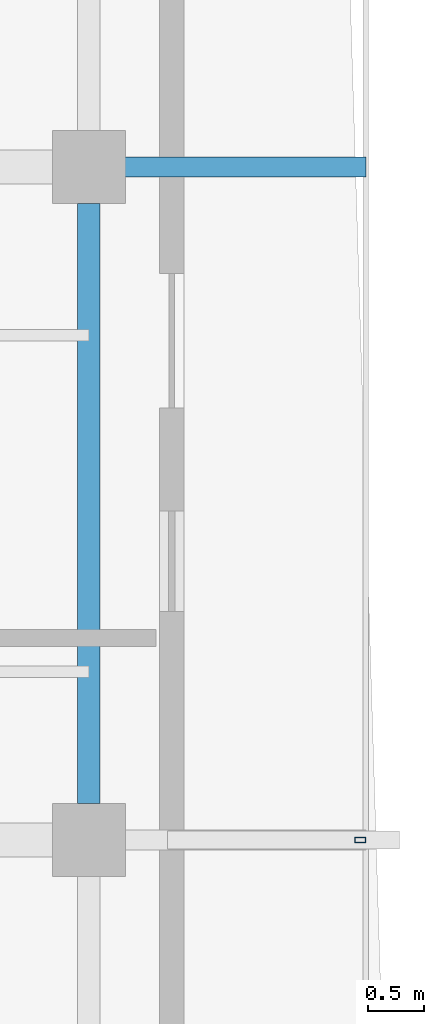
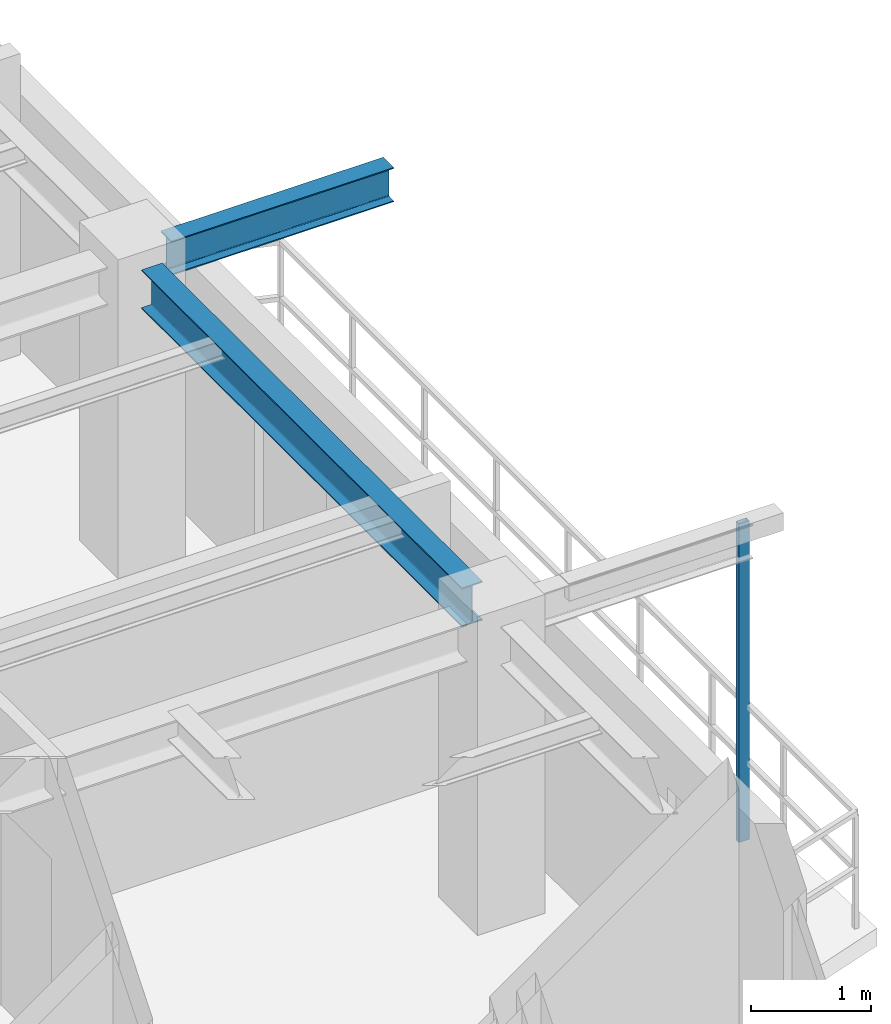
# One storey, part 7 of 14: 2 beams, 1 member.
"""IFC4 building model written with IfcOpenShell, lengths in metres."""

from ifc_helpers import new_model, si_unit, direction, frame, origin, origin_2d, place, context, subcontext, project, spatial, hollow_rectangle, i_section, extrude, source, transform, mapped, material, material_profile, profile_set, type_object, element, save


model = new_model("IFC4")

# Units and contexts
model_context = context("Model", 3, precision=1e-05, world=origin(), true_north=direction((0.0, 1.0)))
body_context = subcontext(model_context, "Body", "Model", "MODEL_VIEW")
ifc_project = project(units=[si_unit("LENGTHUNIT", "METRE"), si_unit("AREAUNIT", "SQUARE_METRE"), si_unit("VOLUMEUNIT", "CUBIC_METRE"), si_unit("PLANEANGLEUNIT", "RADIAN"), si_unit("MASSUNIT", "GRAM", prefix="KILO"), si_unit("THERMODYNAMICTEMPERATUREUNIT", "KELVIN"), si_unit("POWERUNIT", "WATT")], contexts=[model_context])

# Site, building, storey
site_placement = place(None, origin())
site = spatial("IfcSite", under=ifc_project, at=site_placement, CompositionType="ELEMENT")
building_placement = place(site_placement, origin())
building = spatial("IfcBuilding", under=site, at=building_placement, Name="Qiaomeng Ring Towers", CompositionType="ELEMENT")
storey_placement = place(building_placement, frame((0.0, 0.0, 253.5)))
storey = spatial("IfcBuildingStorey", under=building, at=storey_placement, Name="L74", CompositionType="ELEMENT", Elevation=253.5)

# Beams
ifc_material_1 = material(Name="Steel Q355B", Category="steel")
ifc_material_profile_1 = material_profile(ifc_material_1, i_section(OverallWidth=0.198974609375, OverallDepth=0.39599609375, WebThickness=0.007080078125, FlangeThickness=0.010986328125, FilletRadius=0.01611328125, at=origin_2d()), Name="HN 396x199x7x11")
ifc_profile_set_1 = profile_set([ifc_material_profile_1], Name="Steel Q355B")
beam_type_1 = type_object("IfcBeamType", Name="STR-BM-HN396", PredefinedType="SPANDREL", material=ifc_profile_set_1)
shared_shape_1 = source(origin(), body_context, "Body", "SweptSolid", [
    extrude(i_section(OverallWidth=0.198974609375, OverallDepth=0.39599609375, WebThickness=0.007080078125, FlangeThickness=0.010986328125, FilletRadius=0.01611328125, at=origin_2d()), origin(), (0.0, 0.0, 1.0), 5.35205078125),
])
beam_1_placement = place(storey_placement, frame((33.85009765625, 20.323974609375, 2.8720703125), z_axis=(0.0, 1.0, 0.0), x_axis=(-1.0, 0.0, 0.0)))
element("IfcBeam", 1, at=beam_1_placement, inside=storey, type_object=beam_type_1, Name="L74 beam STR-SP-L74-T1-E2-E3", PredefinedType="SPANDREL", context=body_context, shape_type="MappedRepresentation", body=[
    mapped(shared_shape_1, transform((0.0, 0.0, 0.0), x_axis=(1.0, 0.0, 0.0), y_axis=(0.0, 1.0, 0.0), z_axis=(0.0, 0.0, 1.0), scale=1.0)),
])
ifc_material_profile_2 = material_profile(ifc_material_1, i_section(OverallWidth=0.175048828125, OverallDepth=0.35009765625, WebThickness=0.007080078125, FlangeThickness=0.010986328125, FilletRadius=0.013916015625, at=origin_2d()), Name="HN 350x175x7x11")
ifc_profile_set_2 = profile_set([ifc_material_profile_2], Name="Steel Q355B")
beam_type_2 = type_object("IfcBeamType", Name="STR-BM-HN350", PredefinedType="JOIST", material=ifc_profile_set_2)
shared_shape_2 = source(origin(), body_context, "Body", "SweptSolid", [
    extrude(i_section(OverallWidth=0.175048828125, OverallDepth=0.35009765625, WebThickness=0.007080078125, FlangeThickness=0.010986328125, FilletRadius=0.013916015625, at=origin_2d()), origin(), (0.0, 0.0, 1.0), 2.14599609375),
])
beam_2_placement = place(storey_placement, frame((34.174072265625, 26.0, 2.89501953125), z_axis=(1.0, 0.0, 0.0), x_axis=(0.0, 1.0, 0.0)))
element("IfcBeam", 2, at=beam_2_placement, inside=storey, type_object=beam_type_2, Name="L74 beam STR-BALBM-L74-E3", PredefinedType="JOIST", context=body_context, shape_type="MappedRepresentation", body=[
    mapped(shared_shape_2, transform((0.0, 0.0, 0.0), x_axis=(1.0, 0.0, 0.0), y_axis=(0.0, 1.0, 0.0), z_axis=(0.0, 0.0, 1.0), scale=1.0)),
])

# Member
ifc_material_2 = material(Name="Stainless steel 316", Category="steel")
ifc_material_profile_3 = material_profile(ifc_material_2, hollow_rectangle(XDim=0.050048828125, YDim=0.10009765625, WallThickness=0.00390625, at=origin_2d()), Name="SS TRELLIS 100x50")
ifc_profile_set_3 = profile_set([ifc_material_profile_3], Name="Stainless steel 316")
member_type = type_object("IfcMemberType", Name="ARC-TR-POST2", PredefinedType="STUD", material=ifc_profile_set_3)
shared_shape_3 = source(origin(), body_context, "Body", "SweptSolid", [
    extrude(hollow_rectangle(XDim=0.050048828125, YDim=0.10009765625, WallThickness=0.00390625, at=origin_2d()), origin(), (0.0, 0.0, 1.0), 3.25),
])
member_placement = place(storey_placement, frame((36.27001953125, 20.0, -0.179931640625), z_axis=(0.0, 0.0, 1.0), x_axis=(0.0, 1.0, 0.0)))
element("IfcMember", 3, at=member_placement, inside=storey, type_object=member_type, Name="L74 Outer Ventilated Trellis Post E", PredefinedType="STUD", context=body_context, shape_type="MappedRepresentation", body=[
    mapped(shared_shape_3, transform((0.0, 0.0, 0.0), x_axis=(1.0, 0.0, 0.0), y_axis=(0.0, 1.0, 0.0), z_axis=(0.0, 0.0, 1.0), scale=1.0)),
])

save(model, "model.ifc")
